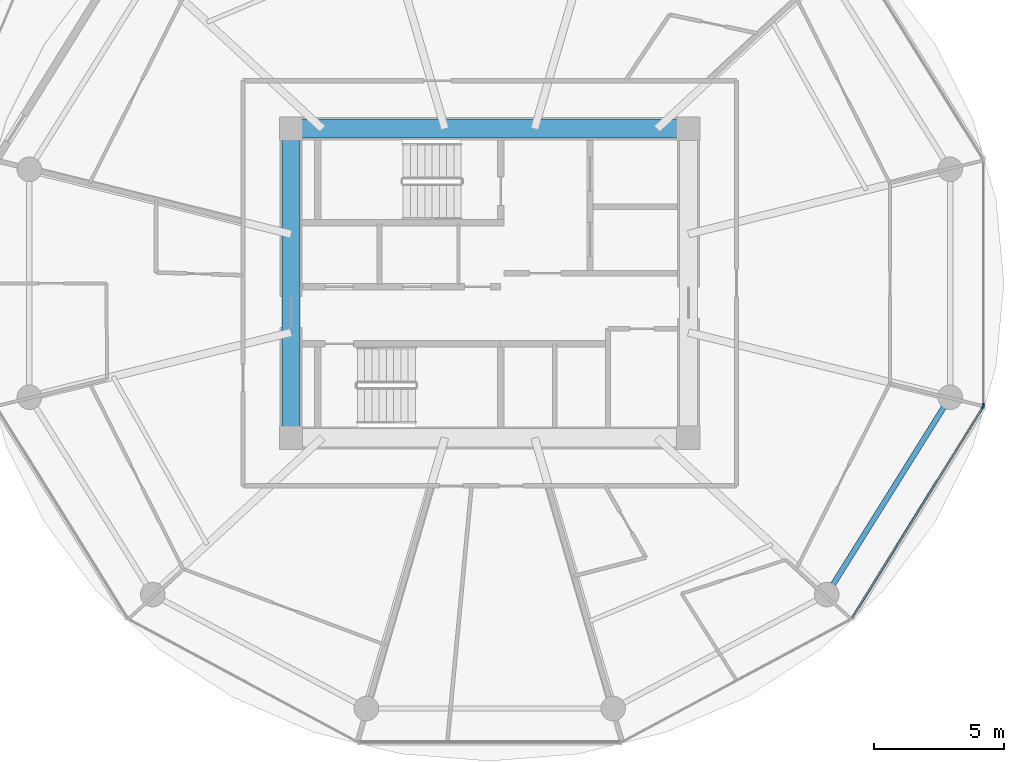
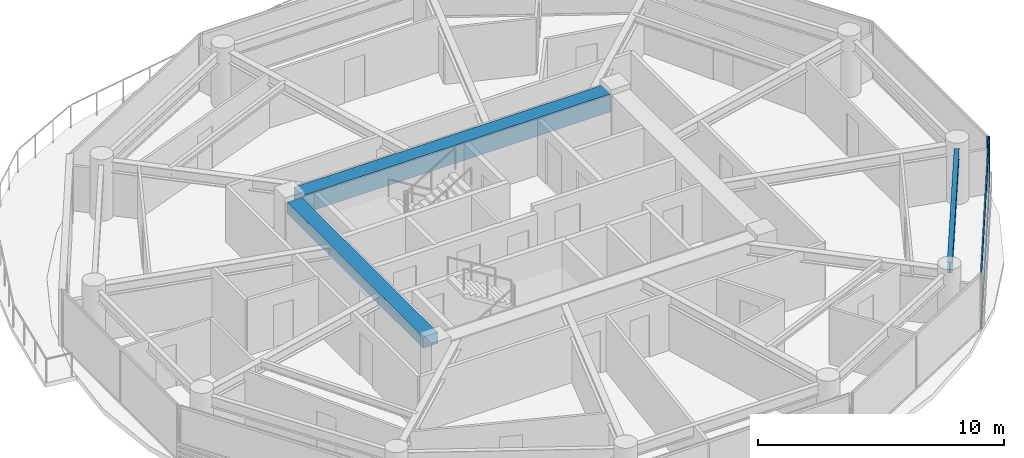
# One storey, part 11 of 27: 4 members, 3 beams, 2 elements without a shape of their own.
"""IFC4 building model written with IfcOpenShell, lengths in metres."""

from ifc_helpers import new_model, si_unit, direction, frame, origin, origin_2d, place, context, subcontext, project, spatial, rectangle, i_section, extrude, source, transform, mapped, material, layer, layer_set, material_profile, profile_set, type_object, type_shapes, element, aggregate, save


model = new_model("IFC4")

# Units and contexts
model_context = context("Model", 3, precision=1e-05, world=origin(), true_north=direction((0.0, 1.0)))
body_context = subcontext(model_context, "Body", "Model", "MODEL_VIEW")
ifc_project = project(units=[si_unit("LENGTHUNIT", "METRE"), si_unit("AREAUNIT", "SQUARE_METRE"), si_unit("VOLUMEUNIT", "CUBIC_METRE"), si_unit("PLANEANGLEUNIT", "RADIAN"), si_unit("MASSUNIT", "GRAM", prefix="KILO")], contexts=[model_context])

# Site, building, storey
site_placement = place(None, origin())
site = spatial("IfcSite", under=ifc_project, at=site_placement, CompositionType="ELEMENT")
building_placement = place(site_placement, origin())
building = spatial("IfcBuilding", under=site, at=building_placement, Name="Norrkilde Senior Care Towers", CompositionType="ELEMENT")
storey_placement = place(building_placement, frame((0.0, 0.0, 61.25)))
storey = spatial("IfcBuildingStorey", under=building, at=storey_placement, Name="L18", CompositionType="ELEMENT", Elevation=61.25)

# Beams
ifc_material_1 = material(Name="Concrete C60/75", Category="concrete")
ifc_material_profile_1 = material_profile(ifc_material_1, rectangle(XDim=0.699951171875, YDim=0.89990234375, at=origin_2d()), Name="RC BM 700x900")
ifc_profile_set_1 = profile_set([ifc_material_profile_1], Name="Concrete C60/75")
beam_type_1 = type_object("IfcBeamType", Name="Core Coupling Girder 700x900", PredefinedType="USERDEFINED", material=ifc_profile_set_1)
shared_shape_1 = source(origin(), body_context, "Body", "SweptSolid", [
    extrude(rectangle(XDim=0.699951171875, YDim=0.89990234375, at=origin_2d()), origin(), (0.0, 0.0, 1.0), 14.43994140625),
])
type_shapes(beam_type_1, [shared_shape_1])
beam_1_placement = place(storey_placement, frame((20.780029296875, 5.949951171875, 2.340087890625), z_axis=(1.0, 0.0, 0.0), x_axis=(0.0, 1.0, 0.0)))
element("IfcBeam", 1, at=beam_1_placement, inside=storey, type_object=beam_type_1, Name="L18 Core E N Coupling Girder", ObjectType="GIRDER", PredefinedType="USERDEFINED", context=body_context, shape_type="MappedRepresentation", body=[
    mapped(shared_shape_1, transform((0.0, 0.0, 0.0), x_axis=(1.0, 0.0, 0.0), y_axis=(0.0, 1.0, 0.0), z_axis=(0.0, 0.0, 1.0), scale=1.0)),
])
ifc_material_profile_2 = material_profile(ifc_material_1, rectangle(XDim=0.699951171875, YDim=0.550048828125, at=origin_2d()), Name="RC BM 700x550")
ifc_profile_set_2 = profile_set([ifc_material_profile_2], Name="Concrete C60/75")
beam_type_2 = type_object("IfcBeamType", Name="Core Portal Coupling Beam 700x550", PredefinedType="USERDEFINED", material=ifc_profile_set_2)
shared_shape_2 = source(origin(), body_context, "Body", "SweptSolid", [
    extrude(rectangle(XDim=0.699951171875, YDim=0.550048828125, at=origin_2d()), origin(), (0.0, 0.0, 1.0), 11.0400390625),
])
type_shapes(beam_type_2, [shared_shape_2])
beam_2_placement = place(storey_placement, frame((20.35009765625, -5.52001953125, 2.514892578125), z_axis=(0.0, 1.0, 0.0), x_axis=(-1.0, 0.0, 0.0)))
element("IfcBeam", 2, at=beam_2_placement, inside=storey, type_object=beam_type_2, Name="L18 Core E W Coupling Girder", ObjectType="GIRDER", PredefinedType="USERDEFINED", context=body_context, shape_type="MappedRepresentation", body=[
    mapped(shared_shape_2, transform((0.0, 0.0, 0.0), x_axis=(1.0, 0.0, 0.0), y_axis=(0.0, 1.0, 0.0), z_axis=(0.0, 0.0, 1.0), scale=1.0)),
])
ifc_material_2 = material(Name="Steel S355", Category="steel")
ifc_material_profile_3 = material_profile(ifc_material_2, i_section(OverallWidth=0.2099609375, OverallDepth=0.550048828125, WebThickness=0.010986328125, FlangeThickness=0.01708984375, FilletRadius=0.02392578125, at=origin_2d()), Name="IPE 550")
ifc_profile_set_3 = profile_set([ifc_material_profile_3], Name="Steel S355")
beam_type_3 = type_object("IfcBeamType", Name="Perimeter Ring Spandrel Z1 IPE550", PredefinedType="SPANDREL", material=ifc_profile_set_3)
shared_shape_3 = source(origin(), body_context, "Body", "SweptSolid", [
    extrude(i_section(OverallWidth=0.2099609375, OverallDepth=0.550048828125, WebThickness=0.010986328125, FlangeThickness=0.01708984375, FilletRadius=0.02392578125, at=origin_2d()), origin(), (0.0, 0.0, 1.0), 8.090576171875),
])
type_shapes(beam_type_3, [shared_shape_3])
beam_3_placement = place(storey_placement, frame((41.2060546875, -11.61669921875, 2.514892578125), z_axis=(0.530004364821, 0.84799491347, 0.0), x_axis=(-0.84799491347, 0.530004364821, 0.0)))
element("IfcBeam", 3, at=beam_3_placement, inside=storey, type_object=beam_type_3, Name="L18 Drum E Perimeter Spandrel 11", PredefinedType="SPANDREL", context=body_context, shape_type="MappedRepresentation", body=[
    mapped(shared_shape_3, transform((0.0, 0.0, 0.0), x_axis=(1.0, 0.0, 0.0), y_axis=(0.0, 1.0, 0.0), z_axis=(0.0, 0.0, 1.0), scale=1.0)),
])

# Curtain wall, member
ifc_material_3 = material(Name="Triple Low-E Insulated Glazing", Category="glass")
ifc_layer = layer(ifc_material_3, 0.199951171875)
ifc_layer_set = layer_set([ifc_layer], Name="Triple Low-E Insulated Glazing")
curtain_wall_type = type_object("IfcCurtainWallType", Name="CW2 Zone 1 Memory Care Curtain Wall", PredefinedType="NOTDEFINED", material=ifc_layer_set)
curtain_wall_1_placement = place(storey_placement, origin())
curtain_wall_1 = element("IfcCurtainWall", 4, at=curtain_wall_1_placement, inside=storey, type_object=curtain_wall_type, Name="L18 Drum E Curtain Wall 10", PredefinedType="NOTDEFINED")
ifc_material_4 = material(Name="Anodised Aluminium", Category="aluminium")
ifc_material_profile_4 = material_profile(ifc_material_4, rectangle(XDim=0.06494140625, YDim=0.159912109375, at=origin_2d()), Name="ALU MULL 65x160")
ifc_profile_set_4 = profile_set([ifc_material_profile_4], Name="Anodised Aluminium")
member_type_1 = type_object("IfcMemberType", Name="Curtain Wall Mullion Z1-Z2 65x160", PredefinedType="MULLION", material=ifc_profile_set_4)
shared_shape_4 = source(origin(), body_context, "Body", "SweptSolid", [
    extrude(rectangle(XDim=0.06494140625, YDim=0.159912109375, at=origin_2d()), origin(), (0.0, 0.0, 1.0), 2.7900390625),
])
type_shapes(member_type_1, [shared_shape_4])
member_1_placement = place(storey_placement, frame((46.9921875, -4.7587890625, 0.0), z_axis=(0.0, 0.0, 1.0), x_axis=(0.849305943117, -0.527900951871, 0.0)))
member_1 = element("IfcMember", 5, at=member_1_placement, type_object=member_type_1, Name="CW-2 mullion 1", PredefinedType="MULLION", context=body_context, shape_type="MappedRepresentation", body=[
    mapped(shared_shape_4, transform((0.0, 0.0, 0.0), x_axis=(1.0, 0.0, 0.0), y_axis=(0.0, 1.0, 0.0), z_axis=(0.0, 0.0, 1.0), scale=1.0)),
])

curtain_wall_2_placement = place(storey_placement, origin())
curtain_wall_2 = element("IfcCurtainWall", 6, at=curtain_wall_2_placement, inside=storey, type_object=curtain_wall_type, Name="L18 Drum E Curtain Wall 11", PredefinedType="NOTDEFINED")
member_2_placement = place(storey_placement, frame((47.009521484375, -4.69873046875, 0.0), z_axis=(0.0, 0.0, 1.0), x_axis=(1.0, 0.0, 0.0)))
member_2 = element("IfcMember", 7, at=member_2_placement, type_object=member_type_1, Name="CW-2 mullion 2", PredefinedType="MULLION", context=body_context, shape_type="MappedRepresentation", body=[
    mapped(shared_shape_4, transform((0.0, 0.0, 0.0), x_axis=(1.0, 0.0, 0.0), y_axis=(0.0, 1.0, 0.0), z_axis=(0.0, 0.0, 1.0), scale=1.0)),
])
aggregate(curtain_wall_2, [member_2])

# Member
ifc_material_profile_5 = material_profile(ifc_material_4, rectangle(XDim=0.06005859375, YDim=0.1201171875, at=origin_2d()), Name="ALU TRAN 60x120")
ifc_profile_set_5 = profile_set([ifc_material_profile_5], Name="Anodised Aluminium")
member_type_2 = type_object("IfcMemberType", Name="Curtain Wall Transom Typical 60x120", PredefinedType="USERDEFINED", material=ifc_profile_set_5)
shared_shape_5 = source(origin(), body_context, "Body", "SweptSolid", [
    extrude(rectangle(XDim=0.06005859375, YDim=0.1201171875, at=origin_2d()), origin(), (0.0, 0.0, 1.0), 9.5185546875),
])
type_shapes(member_type_2, [shared_shape_5])
member_3_placement = place(storey_placement, frame((46.97509765625, -4.786376953125, 0.030029296875), z_axis=(-0.527901620669, -0.849305527413, 0.0), x_axis=(0.849305527413, -0.527901620669, 0.0)))
member_3 = element("IfcMember", 8, at=member_3_placement, type_object=member_type_2, Name="CW-2 transom 1.1", ObjectType="TRANSOM", PredefinedType="USERDEFINED", context=body_context, shape_type="MappedRepresentation", body=[
    mapped(shared_shape_5, transform((0.0, 0.0, 0.0), x_axis=(1.0, 0.0, 0.0), y_axis=(0.0, 1.0, 0.0), z_axis=(0.0, 0.0, 1.0), scale=1.0)),
])

member_4_placement = place(storey_placement, frame((46.97509765625, -4.786376953125, 2.760009765625), z_axis=(-0.527901620669, -0.849305527413, 0.0), x_axis=(0.849305527413, -0.527901620669, 0.0)))
member_4 = element("IfcMember", 9, at=member_4_placement, type_object=member_type_2, Name="CW-2 transom 1.2", ObjectType="TRANSOM", PredefinedType="USERDEFINED", context=body_context, shape_type="MappedRepresentation", body=[
    mapped(shared_shape_5, transform((0.0, 0.0, 0.0), x_axis=(1.0, 0.0, 0.0), y_axis=(0.0, 1.0, 0.0), z_axis=(0.0, 0.0, 1.0), scale=1.0)),
])

aggregate(curtain_wall_1, [member_1, member_3, member_4])

save(model, "model.ifc")
